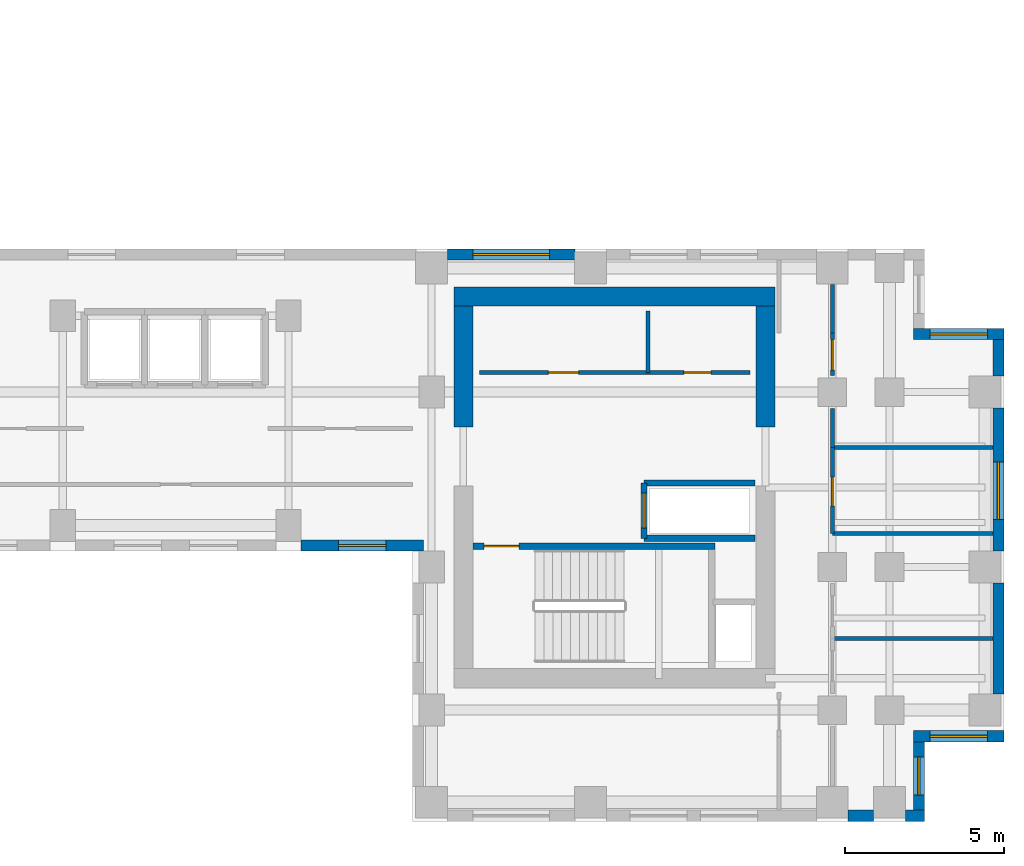
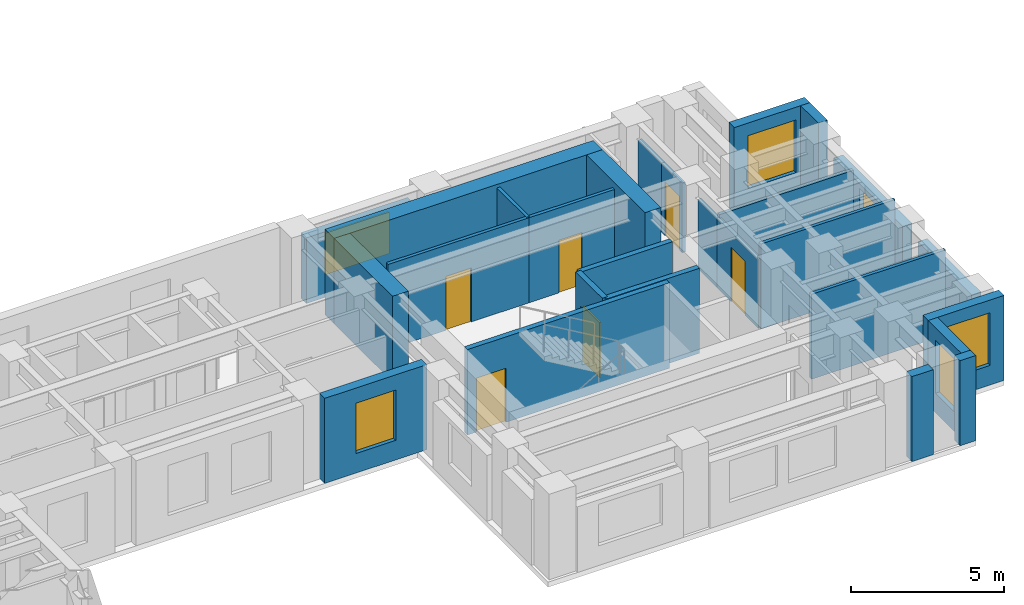
# One storey, part 9 of 13: 27 walls, 6 doors, 6 windows, 12 openings.
"""IFC4 building model written with IfcOpenShell, lengths in metres."""

from ifc_helpers import new_model, si_unit, direction, frame, frame_2d, origin, place, context, subcontext, project, spatial, rectangle, extrude, source, transform, mapped, material, layer, layer_set, type_object, element, fill, save


model = new_model("IFC4")

# Units and contexts
model_context = context("Model", 3, precision=1e-05, world=origin(), true_north=direction((0.0, 1.0)))
body_context = subcontext(model_context, "Body", "Model", "MODEL_VIEW")
ifc_project = project(units=[si_unit("LENGTHUNIT", "METRE"), si_unit("AREAUNIT", "SQUARE_METRE"), si_unit("VOLUMEUNIT", "CUBIC_METRE"), si_unit("PLANEANGLEUNIT", "RADIAN"), si_unit("MASSUNIT", "GRAM", prefix="KILO")], contexts=[model_context])

# Site, building, storey
site_placement = place(None, origin())
site = spatial("IfcSite", under=ifc_project, at=site_placement, CompositionType="ELEMENT")
building_placement = place(site_placement, origin())
building = spatial("IfcBuilding", under=site, at=building_placement, Name="Kharzan Plaza Tower", CompositionType="ELEMENT")
storey_placement = place(building_placement, frame((0.0, 0.0, 153.89990234375)))
storey = spatial("IfcBuildingStorey", under=building, at=storey_placement, Name="L41", CompositionType="ELEMENT", Elevation=153.89990234375)

# Wall, opening, window
ifc_material_1 = material(Name="Concrete C40/50", Category="concrete")
ifc_layer_1 = layer(ifc_material_1, 0.35009765625)
ifc_layer_set_1 = layer_set([ifc_layer_1], Name="Concrete C40/50")
wall_type_1 = type_object("IfcWallType", Name="WL-EXT-MAS-Z3", PredefinedType="SOLIDWALL", material=ifc_layer_set_1)
wall_1_placement = place(storey_placement, frame((30.89794921875, 8.675048828125, 0.0), z_axis=(0.0, 0.0, 1.0), x_axis=(1.0, 0.0, 0.0)))
wall_1 = element("IfcWall", 1, at=wall_1_placement, inside=storey, type_object=wall_type_1, Name="L41 Masonry-Frame Exterior Wall 28", PredefinedType="SOLIDWALL", context=body_context, shape_type="SweptSolid", body=[
    extrude(rectangle(XDim=3.85205078125, YDim=0.35009765625, at=frame_2d((1.926025390625, 0.0))), origin(), (0.0, 0.0, 1.0), 3.385009765625),
])
opening_1_placement = place(wall_1_placement, frame((1.176025390625, 0.0, 0.780029296875)))
opening_1 = element("IfcOpeningElement", 2, at=opening_1_placement, cuts=wall_1, Name="Opening W5", PredefinedType="OPENING", context=body_context, shape_type="SweptSolid", body=[
    extrude(rectangle(XDim=1.5, YDim=2.0, at=frame_2d((0.75, 1.0))), frame((0.0, 0.18505859375, 0.0), z_axis=(0.0, -1.0, 0.0), x_axis=(1.0, 0.0, 0.0)), (0.0, 0.0, 1.0), 0.3701171875),
])
ifc_material_2 = material(Name="Low-E Double Glazing", Category="glass")
window_type_1 = type_object("IfcWindowType", Name="WN-SLT-1500x2000", PartitioningType="SINGLE_PANEL", PredefinedType="WINDOW", material=ifc_material_2)
shared_shape_1 = source(origin(), body_context, "Body", "SweptSolid", [
    extrude(rectangle(XDim=1.5, YDim=2.0, at=frame_2d((0.75, 1.0))), frame((0.0, 0.030029296875, 0.0), z_axis=(0.0, -1.0, 0.0), x_axis=(1.0, 0.0, 0.0)), (0.0, 0.0, 1.0), 0.06005859375),
])
window_1_placement = place(opening_1_placement, origin())
window_1 = element("IfcWindow", 3, at=window_1_placement, inside=storey, type_object=window_type_1, Name="L41 Recessed Solar-Control Window 28-1", OverallHeight=2.0, OverallWidth=1.5, PartitioningType="SINGLE_PANEL", PredefinedType="WINDOW", context=body_context, shape_type="MappedRepresentation", body=[
    mapped(shared_shape_1, transform((0.0, 0.0, 0.0), x_axis=(1.0, 0.0, 0.0), y_axis=(0.0, 1.0, 0.0), z_axis=(0.0, 0.0, 1.0))),
])
fill(opening_1, window_1)

wall_2_placement = place(storey_placement, frame((50.324951171875, 0.347900390625, 0.0), z_axis=(0.0, 0.0, 1.0), x_axis=(0.0, 1.0, 0.0)))
wall_2 = element("IfcWall", 4, at=wall_2_placement, inside=storey, type_object=wall_type_1, Name="L41 Masonry-Frame Exterior Wall 35", PredefinedType="SOLIDWALL", context=body_context, shape_type="SweptSolid", body=[
    extrude(rectangle(XDim=2.154052734375, YDim=0.35009765625, at=frame_2d((1.0771484375, 0.0))), origin(), (0.0, 0.0, 1.0), 3.385009765625),
])
opening_2_placement = place(wall_2_placement, frame((0.47705078125, 0.0, 0.780029296875)))
opening_2 = element("IfcOpeningElement", 5, at=opening_2_placement, cuts=wall_2, Name="Opening W3", PredefinedType="OPENING", context=body_context, shape_type="SweptSolid", body=[
    extrude(rectangle(XDim=1.199951171875, YDim=2.10009765625, at=frame_2d((0.60009765625, 1.050048828125))), frame((0.0, 0.18505859375, 0.0), z_axis=(0.0, -1.0, 0.0), x_axis=(1.0, 0.0, 0.0)), (0.0, 0.0, 1.0), 0.3701171875),
])
window_type_2 = type_object("IfcWindowType", Name="WN-REC-1200x2100", PartitioningType="SINGLE_PANEL", PredefinedType="WINDOW", material=ifc_material_2)
shared_shape_2 = source(origin(), body_context, "Body", "SweptSolid", [
    extrude(rectangle(XDim=1.199951171875, YDim=2.10009765625, at=frame_2d((0.60009765625, 1.050048828125))), frame((0.0, 0.030029296875, 0.0), z_axis=(0.0, -1.0, 0.0), x_axis=(1.0, 0.0, 0.0)), (0.0, 0.0, 1.0), 0.06005859375),
])
window_2_placement = place(opening_2_placement, origin())
window_2 = element("IfcWindow", 6, at=window_2_placement, inside=storey, type_object=window_type_2, Name="L41 Recessed Solar-Control Window 35-1", OverallHeight=2.10009765625, OverallWidth=1.199951171875, PartitioningType="SINGLE_PANEL", PredefinedType="WINDOW", context=body_context, shape_type="MappedRepresentation", body=[
    mapped(shared_shape_2, transform((0.0, 0.0, 0.0), x_axis=(1.0, 0.0, 0.0), y_axis=(0.0, 1.0, 0.0), z_axis=(0.0, 0.0, 1.0))),
])
fill(opening_2, window_2)

wall_3_placement = place(storey_placement, frame((50.14990234375, 2.675048828125, 0.0), z_axis=(0.0, 0.0, 1.0), x_axis=(1.0, 0.0, 0.0)))
wall_3 = element("IfcWall", 7, at=wall_3_placement, inside=storey, type_object=wall_type_1, Name="L41 Masonry-Frame Exterior Wall 36", PredefinedType="SOLIDWALL", context=body_context, shape_type="SweptSolid", body=[
    extrude(rectangle(XDim=2.85009765625, YDim=0.35009765625, at=frame_2d((1.425048828125, 0.0))), origin(), (0.0, 0.0, 1.0), 3.385009765625),
])
opening_3_placement = place(wall_3_placement, frame((0.52490234375, 0.0, 0.780029296875)))
opening_3 = element("IfcOpeningElement", 8, at=opening_3_placement, cuts=wall_3, Name="Opening W1", PredefinedType="OPENING", context=body_context, shape_type="SweptSolid", body=[
    extrude(rectangle(XDim=1.800048828125, YDim=2.10009765625, at=frame_2d((0.89990234375, 1.050048828125))), frame((0.0, 0.18505859375, 0.0), z_axis=(0.0, -1.0, 0.0), x_axis=(1.0, 0.0, 0.0)), (0.0, 0.0, 1.0), 0.3701171875),
])
window_type_3 = type_object("IfcWindowType", Name="WN-REC-1800x2100", PartitioningType="SINGLE_PANEL", PredefinedType="WINDOW", material=ifc_material_2)
shared_shape_3 = source(origin(), body_context, "Body", "SweptSolid", [
    extrude(rectangle(XDim=1.800048828125, YDim=2.10009765625, at=frame_2d((0.89990234375, 1.050048828125))), frame((0.0, 0.030029296875, 0.0), z_axis=(0.0, -1.0, 0.0), x_axis=(1.0, 0.0, 0.0)), (0.0, 0.0, 1.0), 0.06005859375),
])
window_3_placement = place(opening_3_placement, origin())
window_3 = element("IfcWindow", 9, at=window_3_placement, inside=storey, type_object=window_type_3, Name="L41 Recessed Solar-Control Window 36-1", OverallHeight=2.10009765625, OverallWidth=1.800048828125, PartitioningType="SINGLE_PANEL", PredefinedType="WINDOW", context=body_context, shape_type="MappedRepresentation", body=[
    mapped(shared_shape_3, transform((0.0, 0.0, 0.0), x_axis=(1.0, 0.0, 0.0), y_axis=(0.0, 1.0, 0.0), z_axis=(0.0, 0.0, 1.0))),
])
fill(opening_3, window_3)

wall_4_placement = place(storey_placement, frame((52.824951171875, 8.498046875, 0.0), z_axis=(0.0, 0.0, 1.0), x_axis=(0.0, 1.0, 0.0)))
wall_4 = element("IfcWall", 10, at=wall_4_placement, inside=storey, type_object=wall_type_1, Name="L41 Masonry-Frame Exterior Wall 38", PredefinedType="SOLIDWALL", context=body_context, shape_type="SweptSolid", body=[
    extrude(rectangle(XDim=4.50390625, YDim=0.35009765625, at=frame_2d((2.251953125, 0.0))), origin(), (0.0, 0.0, 1.0), 2.612060546875),
])
opening_4_placement = place(wall_4_placement, frame((1.001953125, 0.0, 0.780029296875)))
opening_4 = element("IfcOpeningElement", 11, at=opening_4_placement, cuts=wall_4, Name="Opening W1", PredefinedType="OPENING", context=body_context, shape_type="SweptSolid", body=[
    extrude(rectangle(XDim=1.800048828125, YDim=1.652099609375, at=frame_2d((0.89990234375, 0.826171875))), frame((0.0, 0.18505859375, 0.0), z_axis=(0.0, -1.0, 0.0), x_axis=(1.0, 0.0, 0.0)), (0.0, 0.0, 1.0), 0.3701171875),
])
shared_shape_4 = source(origin(), body_context, "Body", "SweptSolid", [
    extrude(rectangle(XDim=1.800048828125, YDim=1.652099609375, at=frame_2d((0.89990234375, 0.826171875))), frame((0.0, 0.030029296875, 0.0), z_axis=(0.0, -1.0, 0.0), x_axis=(1.0, 0.0, 0.0)), (0.0, 0.0, 1.0), 0.06005859375),
])
window_4_placement = place(opening_4_placement, origin())
window_4 = element("IfcWindow", 12, at=window_4_placement, inside=storey, type_object=window_type_3, Name="L41 Recessed Solar-Control Window 38-1", OverallHeight=1.652099609375, OverallWidth=1.800048828125, PartitioningType="SINGLE_PANEL", PredefinedType="WINDOW", context=body_context, shape_type="MappedRepresentation", body=[
    mapped(shared_shape_4, transform((0.0, 0.0, 0.0), x_axis=(1.0, 0.0, 0.0), y_axis=(0.0, 1.0, 0.0), z_axis=(0.0, 0.0, 1.0))),
])
fill(opening_4, window_4)

wall_5_placement = place(storey_placement, frame((53.0, 15.324951171875, 0.0), z_axis=(0.0, 0.0, 1.0), x_axis=(-1.0, 0.0, 0.0)))
wall_5 = element("IfcWall", 13, at=wall_5_placement, inside=storey, type_object=wall_type_1, Name="L41 Masonry-Frame Exterior Wall 40", PredefinedType="SOLIDWALL", context=body_context, shape_type="SweptSolid", body=[
    extrude(rectangle(XDim=2.85009765625, YDim=0.35009765625, at=frame_2d((1.425048828125, 0.0))), origin(), (0.0, 0.0, 1.0), 3.385009765625),
])
opening_5_placement = place(wall_5_placement, frame((0.52490234375, 0.0, 0.780029296875)))
opening_5 = element("IfcOpeningElement", 14, at=opening_5_placement, cuts=wall_5, Name="Opening W1", PredefinedType="OPENING", context=body_context, shape_type="SweptSolid", body=[
    extrude(rectangle(XDim=1.800048828125, YDim=2.10009765625, at=frame_2d((0.89990234375, 1.050048828125))), frame((0.0, 0.18505859375, 0.0), z_axis=(0.0, -1.0, 0.0), x_axis=(1.0, 0.0, 0.0)), (0.0, 0.0, 1.0), 0.3701171875),
])
window_5_placement = place(opening_5_placement, origin())
window_5 = element("IfcWindow", 15, at=window_5_placement, inside=storey, type_object=window_type_3, Name="L41 Recessed Solar-Control Window 40-1", OverallHeight=2.10009765625, OverallWidth=1.800048828125, PartitioningType="SINGLE_PANEL", PredefinedType="WINDOW", context=body_context, shape_type="MappedRepresentation", body=[
    mapped(shared_shape_3, transform((0.0, 0.0, 0.0), x_axis=(1.0, 0.0, 0.0), y_axis=(0.0, 1.0, 0.0), z_axis=(0.0, 0.0, 1.0))),
])
fill(opening_5, window_5)

wall_6_placement = place(storey_placement, frame((39.501953125, 17.824951171875, 0.0), z_axis=(0.0, 0.0, 1.0), x_axis=(-1.0, 0.0, 0.0)))
wall_6 = element("IfcWall", 16, at=wall_6_placement, inside=storey, type_object=wall_type_1, Name="L41 Masonry-Frame Exterior Wall 45", PredefinedType="SOLIDWALL", context=body_context, shape_type="SweptSolid", body=[
    extrude(rectangle(XDim=4.00390625, YDim=0.35009765625, at=frame_2d((2.001953125, 0.0))), origin(), (0.0, 0.0, 1.0), 2.612060546875),
])
opening_6_placement = place(wall_6_placement, frame((0.802001953125, 0.0, 0.780029296875)))
opening_6 = element("IfcOpeningElement", 17, at=opening_6_placement, cuts=wall_6, Name="Opening W2", PredefinedType="OPENING", context=body_context, shape_type="SweptSolid", body=[
    extrude(rectangle(XDim=2.39990234375, YDim=1.652099609375, at=frame_2d((1.199951171875, 0.826171875))), frame((0.0, 0.18505859375, 0.0), z_axis=(0.0, -1.0, 0.0), x_axis=(1.0, 0.0, 0.0)), (0.0, 0.0, 1.0), 0.3701171875),
])
window_type_4 = type_object("IfcWindowType", Name="WN-REC-2400x2100", PartitioningType="SINGLE_PANEL", PredefinedType="WINDOW", material=ifc_material_2)
shared_shape_5 = source(origin(), body_context, "Body", "SweptSolid", [
    extrude(rectangle(XDim=2.39990234375, YDim=1.652099609375, at=frame_2d((1.199951171875, 0.826171875))), frame((0.0, 0.030029296875, 0.0), z_axis=(0.0, -1.0, 0.0), x_axis=(1.0, 0.0, 0.0)), (0.0, 0.0, 1.0), 0.06005859375),
])
window_6_placement = place(opening_6_placement, origin())
window_6 = element("IfcWindow", 18, at=window_6_placement, inside=storey, type_object=window_type_4, Name="L41 Wide Recessed Solar-Control Window 45-1", OverallHeight=1.652099609375, OverallWidth=2.39990234375, PartitioningType="SINGLE_PANEL", PredefinedType="WINDOW", context=body_context, shape_type="MappedRepresentation", body=[
    mapped(shared_shape_5, transform((0.0, 0.0, 0.0), x_axis=(1.0, 0.0, 0.0), y_axis=(0.0, 1.0, 0.0), z_axis=(0.0, 0.0, 1.0))),
])
fill(opening_6, window_6)

# Wall, opening, door
ifc_material_3 = material(Name="Fire-Rated Gypsum Board Partition", Category="gypsum")
ifc_layer_2 = layer(ifc_material_3, 0.125)
ifc_layer_set_2 = layer_set([ifc_layer_2], Name="Fire-Rated Gypsum Board Partition")
wall_type_2 = type_object("IfcWallType", Name="WL-INT-PART-125", PredefinedType="PARTITIONING", material=ifc_layer_set_2)
wall_7_placement = place(storey_placement, frame((36.5, 14.1201171875, 0.0), z_axis=(0.0, 0.0, 1.0), x_axis=(1.0, 0.0, 0.0)))
wall_7 = element("IfcWall", 19, at=wall_7_placement, inside=storey, type_object=wall_type_2, Name="L41 Interior Partition CB-RBLSA", PredefinedType="PARTITIONING", context=body_context, shape_type="SweptSolid", body=[
    extrude(rectangle(XDim=5.300048828125, YDim=0.125, at=frame_2d((2.64990234375, 0.0))), origin(), (0.0, 0.0, 1.0), 3.385009765625),
])
opening_7_placement = place(wall_7_placement, frame((2.175048828125, 0.0, 0.0)))
opening_7 = element("IfcOpeningElement", 20, at=opening_7_placement, cuts=wall_7, Name="Opening OD1", PredefinedType="OPENING", context=body_context, shape_type="SweptSolid", body=[
    extrude(rectangle(XDim=0.949951171875, YDim=2.14990234375, at=frame_2d((0.47509765625, 1.074951171875))), frame((0.0, 0.072509765625, 0.0), z_axis=(0.0, -1.0, 0.0), x_axis=(1.0, 0.0, 0.0)), (0.0, 0.0, 1.0), 0.14501953125),
])
ifc_material_4 = material(Name="Acoustic Solid-Core Stained Oak", Category="timber")
door_type_1 = type_object("IfcDoorType", Name="DR-OFF-SINGLE", OperationType="NOTDEFINED", PredefinedType="DOOR", material=ifc_material_4)
shared_shape_6 = source(origin(), body_context, "Body", "SweptSolid", [
    extrude(rectangle(XDim=0.949951171875, YDim=2.14990234375, at=frame_2d((0.47509765625, 1.074951171875))), frame((0.0, 0.02490234375, 0.0), z_axis=(0.0, -1.0, 0.0), x_axis=(1.0, 0.0, 0.0)), (0.0, 0.0, 1.0), 0.050048828125),
])
door_1_placement = place(opening_7_placement, origin())
door_1 = element("IfcDoor", 21, at=door_1_placement, inside=storey, type_object=door_type_1, Name="L41 Records Room Door", OperationType="SINGLE_SWING_LEFT", OverallHeight=2.14990234375, OverallWidth=0.949951171875, PredefinedType="DOOR", context=body_context, shape_type="MappedRepresentation", body=[
    mapped(shared_shape_6, transform((0.0, 0.0, 0.0), x_axis=(1.0, 0.0, 0.0), y_axis=(0.0, 1.0, 0.0), z_axis=(0.0, 0.0, 1.0))),
])
fill(opening_7, door_1)

wall_8_placement = place(storey_placement, frame((41.800048828125, 14.1201171875, 0.0), z_axis=(0.0, 0.0, 1.0), x_axis=(1.0, 0.0, 0.0)))
wall_8 = element("IfcWall", 22, at=wall_8_placement, inside=storey, type_object=wall_type_2, Name="L41 Interior Partition CB-RBLSB", PredefinedType="PARTITIONING", context=body_context, shape_type="SweptSolid", body=[
    extrude(rectangle(XDim=3.219970703125, YDim=0.125, at=frame_2d((1.60986328125, 0.0))), origin(), (0.0, 0.0, 1.0), 3.385009765625),
])
opening_8_placement = place(wall_8_placement, frame((1.135009765625, 0.0, 0.0)))
opening_8 = element("IfcOpeningElement", 23, at=opening_8_placement, cuts=wall_8, Name="Opening RD1", PredefinedType="OPENING", context=body_context, shape_type="SweptSolid", body=[
    extrude(rectangle(XDim=0.85009765625, YDim=2.10009765625, at=frame_2d((0.425048828125, 1.050048828125))), frame((0.0, 0.072509765625, 0.0), z_axis=(0.0, -1.0, 0.0), x_axis=(1.0, 0.0, 0.0)), (0.0, 0.0, 1.0), 0.14501953125),
])
ifc_material_5 = material(Name="Powder-Coated Fire-Rated Steel", Category="steel")
door_type_2 = type_object("IfcDoorType", Name="DR-RISER-900", OperationType="NOTDEFINED", PredefinedType="DOOR", material=ifc_material_5)
shared_shape_7 = source(origin(), body_context, "Body", "SweptSolid", [
    extrude(rectangle(XDim=0.85009765625, YDim=2.10009765625, at=frame_2d((0.425048828125, 1.050048828125))), frame((0.0, 0.02490234375, 0.0), z_axis=(0.0, -1.0, 0.0), x_axis=(1.0, 0.0, 0.0)), (0.0, 0.0, 1.0), 0.050048828125),
])
door_2_placement = place(opening_8_placement, origin())
door_2 = element("IfcDoor", 24, at=door_2_placement, inside=storey, type_object=door_type_2, Name="L41 Housekeeping Store Door", OperationType="SINGLE_SWING_RIGHT", OverallHeight=2.10009765625, OverallWidth=0.85009765625, PredefinedType="DOOR", context=body_context, shape_type="MappedRepresentation", body=[
    mapped(shared_shape_7, transform((0.0, 0.0, 0.0), x_axis=(1.0, 0.0, 0.0), y_axis=(0.0, 1.0, 0.0), z_axis=(0.0, 0.0, 1.0))),
])
fill(opening_8, door_2)

wall_9_placement = place(storey_placement, frame((47.60009765625, 14.02001953125, 0.0), z_axis=(0.0, 0.0, 1.0), x_axis=(0.0, 1.0, 0.0)))
wall_9 = element("IfcWall", 25, at=wall_9_placement, inside=storey, type_object=wall_type_2, Name="L41 Interior Partition SH-B3W2-S2", PredefinedType="PARTITIONING", context=body_context, shape_type="SweptSolid", body=[
    extrude(rectangle(XDim=1.330078125, YDim=0.125, at=frame_2d((0.6650390625, 0.0))), origin(), (0.0, 0.0, 1.0), 2.773193359375),
])
opening_9_placement = place(wall_9_placement, frame((0.179931640625, 0.0, 0.0)))
opening_9 = element("IfcOpeningElement", 26, at=opening_9_placement, cuts=wall_9, Name="Opening OD1", PredefinedType="OPENING", context=body_context, shape_type="SweptSolid", body=[
    extrude(rectangle(XDim=0.949951171875, YDim=2.14990234375, at=frame_2d((0.47509765625, 1.074951171875))), frame((0.0, 0.072509765625, 0.0), z_axis=(0.0, -1.0, 0.0), x_axis=(1.0, 0.0, 0.0)), (0.0, 0.0, 1.0), 0.14501953125),
])
door_3_placement = place(opening_9_placement, origin())
door_3 = element("IfcDoor", 27, at=door_3_placement, inside=storey, type_object=door_type_1, Name="L41 Wing B Office 3 Door", OperationType="SINGLE_SWING_RIGHT", OverallHeight=2.14990234375, OverallWidth=0.949951171875, PredefinedType="DOOR", context=body_context, shape_type="MappedRepresentation", body=[
    mapped(shared_shape_6, transform((0.0, 0.0, 0.0), x_axis=(1.0, 0.0, 0.0), y_axis=(0.0, 1.0, 0.0), z_axis=(0.0, 0.0, 1.0))),
])
fill(opening_9, door_3)

wall_10_placement = place(storey_placement, frame((47.60009765625, 9.050048828125, 0.0), z_axis=(0.0, 0.0, 1.0), x_axis=(0.0, 1.0, 0.0)))
wall_10 = element("IfcWall", 28, at=wall_10_placement, inside=storey, type_object=wall_type_2, Name="L41 Interior Partition SH-B3WC", PredefinedType="PARTITIONING", context=body_context, shape_type="SweptSolid", body=[
    extrude(rectangle(XDim=2.699951171875, YDim=0.125, at=frame_2d((1.35009765625, 0.0))), origin(), (0.0, 0.0, 1.0), 2.773193359375),
])
opening_10_placement = place(wall_10_placement, frame((0.875, 0.0, 0.0)))
opening_10 = element("IfcOpeningElement", 29, at=opening_10_placement, cuts=wall_10, Name="Opening WD1", PredefinedType="OPENING", context=body_context, shape_type="SweptSolid", body=[
    extrude(rectangle(XDim=0.89990234375, YDim=2.14990234375, at=frame_2d((0.449951171875, 1.074951171875))), frame((0.0, 0.072509765625, 0.0), z_axis=(0.0, -1.0, 0.0), x_axis=(1.0, 0.0, 0.0)), (0.0, 0.0, 1.0), 0.14501953125),
])
ifc_material_6 = material(Name="Moisture-Resistant Fire-Rated Laminate", Category="timber")
door_type_3 = type_object("IfcDoorType", Name="DR-WC-900", OperationType="NOTDEFINED", PredefinedType="DOOR", material=ifc_material_6)
shared_shape_8 = source(origin(), body_context, "Body", "SweptSolid", [
    extrude(rectangle(XDim=0.89990234375, YDim=2.14990234375, at=frame_2d((0.449951171875, 1.074951171875))), frame((0.0, 0.02490234375, 0.0), z_axis=(0.0, -1.0, 0.0), x_axis=(1.0, 0.0, 0.0)), (0.0, 0.0, 1.0), 0.050048828125),
])
door_4_placement = place(opening_10_placement, origin())
door_4 = element("IfcDoor", 30, at=door_4_placement, inside=storey, type_object=door_type_3, Name="L41 Wing B Washroom Door", OperationType="SINGLE_SWING_RIGHT", OverallHeight=2.14990234375, OverallWidth=0.89990234375, PredefinedType="DOOR", context=body_context, shape_type="MappedRepresentation", body=[
    mapped(shared_shape_8, transform((0.0, 0.0, 0.0), x_axis=(1.0, 0.0, 0.0), y_axis=(0.0, 1.0, 0.0), z_axis=(0.0, 0.0, 1.0))),
])
fill(opening_10, door_4)

ifc_layer_3 = layer(ifc_material_1, 0.199951171875)
ifc_layer_set_3 = layer_set([ifc_layer_3], Name="Concrete C40/50")
wall_type_3 = type_object("IfcWallType", Name="WL-INT-SHAFT-200", PredefinedType="PARTITIONING", material=ifc_layer_set_3)
wall_11_placement = place(storey_placement, frame((41.679931640625, 8.89990234375, 0.0), z_axis=(0.0, 0.0, 1.0), x_axis=(0.0, 1.0, 0.0)))
wall_11 = element("IfcWall", 31, at=wall_11_placement, inside=storey, type_object=wall_type_3, Name="L41 Interior Partition SHF-SVL-2-W", PredefinedType="PARTITIONING", context=body_context, shape_type="SweptSolid", body=[
    extrude(rectangle(XDim=1.739990234375, YDim=0.199951171875, at=frame_2d((0.8701171875, 0.0))), origin(), (0.0, 0.0, 1.0), 3.385009765625),
])
opening_11_placement = place(wall_11_placement, frame((0.320068359375, 0.0, 0.0)))
opening_11 = element("IfcOpeningElement", 32, at=opening_11_placement, cuts=wall_11, Name="Opening LD", PredefinedType="OPENING", context=body_context, shape_type="SweptSolid", body=[
    extrude(rectangle(XDim=1.10009765625, YDim=2.199951171875, at=frame_2d((0.550048828125, 1.10009765625))), frame((0.0, 0.10986328125, 0.0), z_axis=(0.0, -1.0, 0.0), x_axis=(1.0, 0.0, 0.0)), (0.0, 0.0, 1.0), 0.219970703125),
])
ifc_material_7 = material(Name="Brushed Stainless Steel", Category="steel")
door_type_4 = type_object("IfcDoorType", Name="DR-LIFT-SLIDE", OperationType="SLIDING_TO_LEFT", PredefinedType="DOOR", material=ifc_material_7)
shared_shape_9 = source(origin(), body_context, "Body", "SweptSolid", [
    extrude(rectangle(XDim=1.10009765625, YDim=2.199951171875, at=frame_2d((0.550048828125, 1.10009765625))), frame((0.0, 0.02490234375, 0.0), z_axis=(0.0, -1.0, 0.0), x_axis=(1.0, 0.0, 0.0)), (0.0, 0.0, 1.0), 0.050048828125),
])
door_5_placement = place(opening_11_placement, origin())
door_5 = element("IfcDoor", 33, at=door_5_placement, inside=storey, type_object=door_type_4, Name="L41 Service Lift SVL-2 Sliding Landing Door", OperationType="SLIDING_TO_LEFT", OverallHeight=2.199951171875, OverallWidth=1.10009765625, PredefinedType="DOOR", context=body_context, shape_type="MappedRepresentation", body=[
    mapped(shared_shape_9, transform((0.0, 0.0, 0.0), x_axis=(1.0, 0.0, 0.0), y_axis=(0.0, 1.0, 0.0), z_axis=(0.0, 0.0, 1.0))),
])
fill(opening_11, door_5)

ifc_material_8 = material(Name="Concrete C50/60", Category="concrete")
ifc_layer_4 = layer(ifc_material_8, 0.199951171875)
ifc_layer_set_4 = layer_set([ifc_layer_4], Name="Concrete C50/60")
wall_type_4 = type_object("IfcWallType", Name="WL-SHAFT-RC200", PredefinedType="SHEAR", material=ifc_layer_set_4)
wall_12_placement = place(storey_placement, frame((36.302001953125, 8.655029296875, 0.0), z_axis=(0.0, 0.0, 1.0), x_axis=(1.0, 0.0, 0.0)))
wall_12 = element("IfcWall", 34, at=wall_12_placement, inside=storey, type_object=wall_type_4, Name="L41 Stair ST-3 North RC Shaft Wall", PredefinedType="SHEAR", context=body_context, shape_type="SweptSolid", body=[
    extrude(rectangle(XDim=7.60302734375, YDim=0.199951171875, at=frame_2d((3.801513671875, 0.0))), origin(), (0.0, 0.0, 1.0), 3.400146484375),
])
opening_12_placement = place(wall_12_placement, frame((0.35009765625, 0.0, 0.0)))
opening_12 = element("IfcOpeningElement", 35, at=opening_12_placement, cuts=wall_12, Name="Opening SD1", PredefinedType="OPENING", context=body_context, shape_type="SweptSolid", body=[
    extrude(rectangle(XDim=1.10009765625, YDim=2.14990234375, at=frame_2d((0.550048828125, 1.074951171875))), frame((0.0, 0.10986328125, 0.0), z_axis=(0.0, -1.0, 0.0), x_axis=(1.0, 0.0, 0.0)), (0.0, 0.0, 1.0), 0.219970703125),
])
ifc_material_9 = material(Name="Fire-Rated Hollow Galvanized Steel", Category="steel")
door_type_5 = type_object("IfcDoorType", Name="DR-STAIR-FD120", OperationType="NOTDEFINED", PredefinedType="DOOR", material=ifc_material_9)
shared_shape_10 = source(origin(), body_context, "Body", "SweptSolid", [
    extrude(rectangle(XDim=1.10009765625, YDim=2.14990234375, at=frame_2d((0.550048828125, 1.074951171875))), frame((0.0, 0.02490234375, 0.0), z_axis=(0.0, -1.0, 0.0), x_axis=(1.0, 0.0, 0.0)), (0.0, 0.0, 1.0), 0.050048828125),
])
door_6_placement = place(opening_12_placement, origin())
door_6 = element("IfcDoor", 36, at=door_6_placement, inside=storey, type_object=door_type_5, Name="L41 Stair ST-3 Fire Exit Door", OperationType="SINGLE_SWING_RIGHT", OverallHeight=2.14990234375, OverallWidth=1.10009765625, PredefinedType="DOOR", context=body_context, shape_type="MappedRepresentation", body=[
    mapped(shared_shape_10, transform((0.0, 0.0, 0.0), x_axis=(1.0, 0.0, 0.0), y_axis=(0.0, 1.0, 0.0), z_axis=(0.0, 0.0, 1.0))),
])
fill(opening_12, door_6)

# Walls
shared_shape_11 = source(origin(), body_context, "Body", "SweptSolid", [
    extrude(rectangle(XDim=0.80419921875, YDim=0.35009765625, at=frame_2d((0.402099609375, 0.0))), origin(), (0.0, 0.0, 1.0), 3.385009765625),
])
wall_13_placement = place(storey_placement, frame((48.097900390625, 0.175048828125, 0.0), z_axis=(0.0, 0.0, 1.0), x_axis=(1.0, 0.0, 0.0)))
element("IfcWall", 37, at=wall_13_placement, inside=storey, type_object=wall_type_1, Name="L41 Masonry-Frame Exterior Wall 33", PredefinedType="SOLIDWALL", context=body_context, shape_type="MappedRepresentation", body=[
    mapped(shared_shape_11, transform((0.0, 0.0, 0.0), x_axis=(1.0, 0.0, 0.0), y_axis=(0.0, 1.0, 0.0), z_axis=(0.0, 0.0, 1.0))),
])
shared_shape_12 = source(origin(), body_context, "Body", "SweptSolid", [
    extrude(rectangle(XDim=0.60205078125, YDim=0.35009765625, at=frame_2d((0.301025390625, 0.0))), origin(), (0.0, 0.0, 1.0), 3.385009765625),
])
wall_14_placement = place(storey_placement, frame((49.89794921875, 0.175048828125, 0.0), z_axis=(0.0, 0.0, 1.0), x_axis=(1.0, 0.0, 0.0)))
element("IfcWall", 38, at=wall_14_placement, inside=storey, type_object=wall_type_1, Name="L41 Masonry-Frame Exterior Wall 34", PredefinedType="SOLIDWALL", context=body_context, shape_type="MappedRepresentation", body=[
    mapped(shared_shape_12, transform((0.0, 0.0, 0.0), x_axis=(1.0, 0.0, 0.0), y_axis=(0.0, 1.0, 0.0), z_axis=(0.0, 0.0, 1.0))),
])
shared_shape_13 = source(origin(), body_context, "Body", "SweptSolid", [
    extrude(rectangle(XDim=1.154052734375, YDim=0.35009765625, at=frame_2d((0.5771484375, 0.0))), origin(), (0.0, 0.0, 1.0), 3.385009765625),
])
wall_15_placement = place(storey_placement, frame((52.824951171875, 13.998046875, 0.0), z_axis=(0.0, 0.0, 1.0), x_axis=(0.0, 1.0, 0.0)))
element("IfcWall", 39, at=wall_15_placement, inside=storey, type_object=wall_type_1, Name="L41 Masonry-Frame Exterior Wall 39", PredefinedType="SOLIDWALL", context=body_context, shape_type="MappedRepresentation", body=[
    mapped(shared_shape_13, transform((0.0, 0.0, 0.0), x_axis=(1.0, 0.0, 0.0), y_axis=(0.0, 1.0, 0.0), z_axis=(0.0, 0.0, 1.0))),
])
shared_shape_14 = source(origin(), body_context, "Body", "SweptSolid", [
    extrude(rectangle(XDim=1.929931640625, YDim=0.125, at=frame_2d((0.96484375, 0.0))), origin(), (0.0, 0.0, 1.0), 3.385009765625),
])
wall_16_placement = place(storey_placement, frame((41.800048828125, 14.1201171875, 0.0), z_axis=(0.0, 0.0, 1.0), x_axis=(0.0, 1.0, 0.0)))
element("IfcWall", 40, at=wall_16_placement, inside=storey, type_object=wall_type_2, Name="L41 Interior Partition CB-RBLM2", PredefinedType="PARTITIONING", context=body_context, shape_type="MappedRepresentation", body=[
    mapped(shared_shape_14, transform((0.0, 0.0, 0.0), x_axis=(1.0, 0.0, 0.0), y_axis=(0.0, 1.0, 0.0), z_axis=(0.0, 0.0, 1.0))),
])
shared_shape_15 = source(origin(), body_context, "Body", "SweptSolid", [
    extrude(rectangle(XDim=5.0478515625, YDim=0.125, at=frame_2d((2.52392578125, 0.0))), origin(), (0.0, 0.0, 1.0), 3.385009765625),
])
for number, where, z_axis, x_axis, name in (
    (41, (47.60009765625, 5.75, 0.0), (0.0, 0.0, 1.0), (1.0, 0.0, 0.0), "L41 Interior Partition SH-B3H-57"),
    (42, (47.60009765625, 9.050048828125, 0.0), (0.0, 0.0, 1.0), (1.0, 0.0, 0.0), "L41 Interior Partition SH-B3H-90"),
):
    element("IfcWall", number, at=place(storey_placement, frame(where, z_axis=z_axis, x_axis=x_axis)), inside=storey, type_object=wall_type_2, Name=name, PredefinedType="PARTITIONING", context=body_context, shape_type="MappedRepresentation", body=[
        mapped(shared_shape_15, transform((0.0, 0.0, 0.0), x_axis=(1.0, 0.0, 0.0), y_axis=(0.0, 1.0, 0.0), z_axis=(0.0, 0.0, 1.0))),
    ])
shared_shape_16 = source(origin(), body_context, "Body", "SweptSolid", [
    extrude(rectangle(XDim=3.489990234375, YDim=0.199951171875, at=frame_2d((1.7451171875, 0.0))), origin(), (0.0, 0.0, 1.0), 3.385009765625),
])
for number, where, z_axis, x_axis, name in (
    (43, (41.679931640625, 10.639892578125, 0.0), (0.0, 0.0, 1.0), (1.0, 0.0, 0.0), "L41 Interior Partition SHF-SVL-2-N"),
    (44, (41.679931640625, 8.89990234375, 0.0), (0.0, 0.0, 1.0), (1.0, 0.0, 0.0), "L41 Interior Partition SHF-SVL-2-S"),
):
    element("IfcWall", number, at=place(storey_placement, frame(where, z_axis=z_axis, x_axis=x_axis)), inside=storey, type_object=wall_type_3, Name=name, PredefinedType="PARTITIONING", context=body_context, shape_type="MappedRepresentation", body=[
        mapped(shared_shape_16, transform((0.0, 0.0, 0.0), x_axis=(1.0, 0.0, 0.0), y_axis=(0.0, 1.0, 0.0), z_axis=(0.0, 0.0, 1.0))),
    ])
ifc_layer_5 = layer(ifc_material_8, 0.60009765625)
ifc_layer_set_5 = layer_set([ifc_layer_5], Name="Concrete C50/60")
wall_type_5 = type_object("IfcWallType", Name="WL-CORE-600", PredefinedType="SHEAR", material=ifc_layer_set_5)
shared_shape_17 = source(origin(), body_context, "Body", "SweptSolid", [
    extrude(rectangle(XDim=3.800048828125, YDim=0.60009765625, at=frame_2d((1.89990234375, 0.0))), origin(), (0.0, 0.0, 1.0), 3.400146484375),
])
for number, where, z_axis, x_axis, name in (
    (45, (45.5, 12.39990234375, 0.0), (0.0, 0.0, 1.0), (0.0, 1.0, 0.0), "L41 CORE-B east shear pier 2"),
    (46, (36.0, 12.39990234375, 0.0), (0.0, 0.0, 1.0), (0.0, 1.0, 0.0), "L41 CORE-B west shear pier 2"),
):
    element("IfcWall", number, at=place(storey_placement, frame(where, z_axis=z_axis, x_axis=x_axis)), inside=storey, type_object=wall_type_5, Name=name, PredefinedType="SHEAR", context=body_context, shape_type="MappedRepresentation", body=[
        mapped(shared_shape_17, transform((0.0, 0.0, 0.0), x_axis=(1.0, 0.0, 0.0), y_axis=(0.0, 1.0, 0.0), z_axis=(0.0, 0.0, 1.0))),
    ])
shared_shape_18 = source(origin(), body_context, "Body", "SweptSolid", [
    extrude(rectangle(XDim=10.10009765625, YDim=0.60009765625, at=frame_2d((5.050048828125, 0.0))), origin(), (0.0, 0.0, 1.0), 3.400146484375),
])
wall_17_placement = place(storey_placement, frame((35.699951171875, 16.5, 0.0), z_axis=(0.0, 0.0, 1.0), x_axis=(1.0, 0.0, 0.0)))
element("IfcWall", 47, at=wall_17_placement, inside=storey, type_object=wall_type_5, Name="L41 CORE-B north RC shear wall", PredefinedType="SHEAR", context=body_context, shape_type="MappedRepresentation", body=[
    mapped(shared_shape_18, transform((0.0, 0.0, 0.0), x_axis=(1.0, 0.0, 0.0), y_axis=(0.0, 1.0, 0.0), z_axis=(0.0, 0.0, 1.0))),
])
shared_shape_19 = source(origin(), body_context, "Body", "SweptSolid", [
    extrude(rectangle(XDim=3.50390625, YDim=0.35009765625, at=frame_2d((1.751953125, 0.0))), origin(), (0.0, 0.0, 1.0), 2.612060546875),
])
wall_18_placement = place(storey_placement, frame((52.824951171875, 3.998046875, 0.0), z_axis=(0.0, 0.0, 1.0), x_axis=(0.0, 1.0, 0.0)))
element("IfcWall", 48, at=wall_18_placement, inside=storey, type_object=wall_type_1, Name="L41 Masonry-Frame Exterior Wall 37", PredefinedType="SOLIDWALL", context=body_context, shape_type="MappedRepresentation", body=[
    mapped(shared_shape_19, transform((0.0, 0.0, 0.0), x_axis=(1.0, 0.0, 0.0), y_axis=(0.0, 1.0, 0.0), z_axis=(0.0, 0.0, 1.0))),
])
shared_shape_20 = source(origin(), body_context, "Body", "SweptSolid", [
    extrude(rectangle(XDim=5.0478515625, YDim=0.125, at=frame_2d((2.52392578125, 0.0))), origin(), (0.0, 0.0, 1.0), 2.916015625),
])
wall_19_placement = place(storey_placement, frame((47.60009765625, 11.75, 0.0), z_axis=(0.0, 0.0, 1.0), x_axis=(1.0, 0.0, 0.0)))
element("IfcWall", 49, at=wall_19_placement, inside=storey, type_object=wall_type_2, Name="L41 Interior Partition SH-B3H-117", PredefinedType="PARTITIONING", context=body_context, shape_type="MappedRepresentation", body=[
    mapped(shared_shape_20, transform((0.0, 0.0, 0.0), x_axis=(1.0, 0.0, 0.0), y_axis=(0.0, 1.0, 0.0), z_axis=(0.0, 0.0, 1.0))),
])
shared_shape_21 = source(origin(), body_context, "Body", "SweptSolid", [
    extrude(rectangle(XDim=1.22998046875, YDim=0.125, at=frame_2d((0.614990234375, 0.0))), origin(), (0.0, 0.0, 1.0), 2.773193359375),
])
wall_20_placement = place(storey_placement, frame((47.60009765625, 11.75, 0.0), z_axis=(0.0, 0.0, 1.0), x_axis=(0.0, 1.0, 0.0)))
element("IfcWall", 50, at=wall_20_placement, inside=storey, type_object=wall_type_2, Name="L41 Interior Partition SH-B3W2-S1", PredefinedType="PARTITIONING", context=body_context, shape_type="MappedRepresentation", body=[
    mapped(shared_shape_21, transform((0.0, 0.0, 0.0), x_axis=(1.0, 0.0, 0.0), y_axis=(0.0, 1.0, 0.0), z_axis=(0.0, 0.0, 1.0))),
])
shared_shape_22 = source(origin(), body_context, "Body", "SweptSolid", [
    extrude(rectangle(XDim=1.52978515625, YDim=0.125, at=frame_2d((0.764892578125, 0.0))), origin(), (0.0, 0.0, 1.0), 2.773193359375),
])
wall_21_placement = place(storey_placement, frame((47.60009765625, 15.35009765625, 0.0), z_axis=(0.0, 0.0, 1.0), x_axis=(0.0, 1.0, 0.0)))
element("IfcWall", 51, at=wall_21_placement, inside=storey, type_object=wall_type_2, Name="L41 Interior Partition SH-B3W2N", PredefinedType="PARTITIONING", context=body_context, shape_type="MappedRepresentation", body=[
    mapped(shared_shape_22, transform((0.0, 0.0, 0.0), x_axis=(1.0, 0.0, 0.0), y_axis=(0.0, 1.0, 0.0), z_axis=(0.0, 0.0, 1.0))),
])

save(model, "model.ifc")
